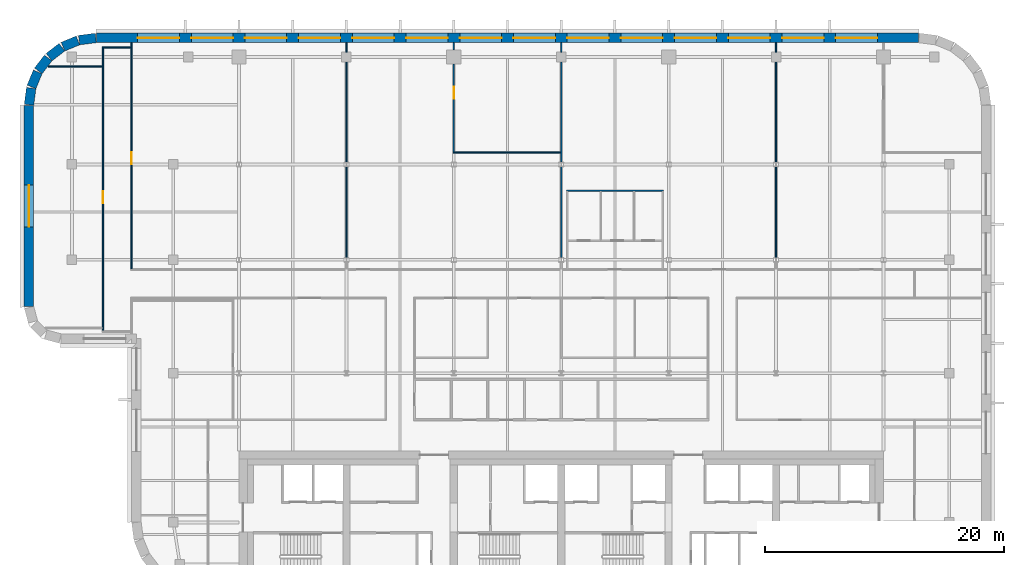
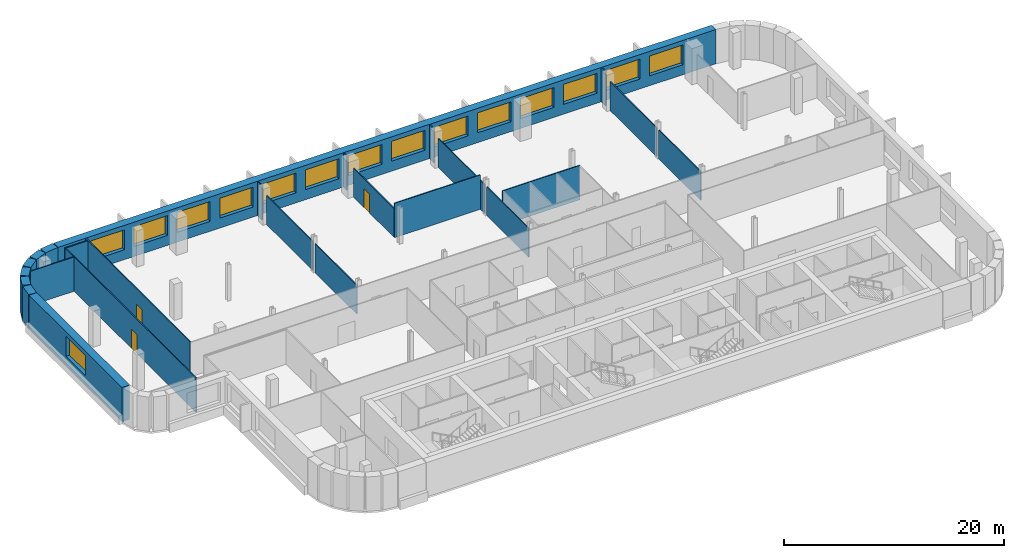
# One storey, part 10 of 16: 25 walls, 15 windows, 3 doors, 18 openings.
"""IFC4 building model written with IfcOpenShell, lengths in metres."""

from ifc_helpers import new_model, si_unit, direction, frame, frame_2d, origin, place, context, subcontext, project, spatial, rectangle, extrude, material, layer, layer_set, type_object, element, fill, save


model = new_model("IFC4")

# Units and contexts
model_context = context("Model", 3, precision=1e-05, world=origin(), true_north=direction((0.0, 1.0)))
body_context = subcontext(model_context, "Body", "Model", "MODEL_VIEW")
ifc_project = project(units=[si_unit("LENGTHUNIT", "METRE"), si_unit("AREAUNIT", "SQUARE_METRE"), si_unit("VOLUMEUNIT", "CUBIC_METRE"), si_unit("PLANEANGLEUNIT", "RADIAN"), si_unit("MASSUNIT", "GRAM", prefix="KILO")], contexts=[model_context])

# Site, building, storey
site_placement = place(None, origin())
site = spatial("IfcSite", under=ifc_project, at=site_placement, CompositionType="ELEMENT")
building_placement = place(site_placement, origin())
building = spatial("IfcBuilding", under=site, at=building_placement, Name="Zellij Exchange Tower", CompositionType="ELEMENT")
storey_placement = place(building_placement, frame((0.0, 0.0, 248.5)))
storey = spatial("IfcBuildingStorey", under=building, at=storey_placement, Name="L58", CompositionType="ELEMENT", Elevation=248.5)

# Wall, openings, windows
ifc_material_1 = material(Name="Precast concrete C40/50", Category="concrete")
ifc_layer_1 = layer(ifc_material_1, 0.800048828125)
ifc_layer_set_1 = layer_set([ifc_layer_1], Name="Precast concrete C40/50")
wall_type_1 = type_object("IfcWallType", Name="ENV-EW1 Precast stone-piered wall 800", PredefinedType="SOLIDWALL", material=ifc_layer_set_1)
wall_1_placement = place(storey_placement, frame((29.947509765625, 32.60009765625, 0.0), z_axis=(0.0, 0.0, 1.0), x_axis=(-1.0, 0.0, 0.0)))
wall_1 = element("IfcWall", 1, at=wall_1_placement, inside=storey, type_object=wall_type_1, Name="fac.L58.14", PredefinedType="SOLIDWALL", context=body_context, shape_type="SweptSolid", body=[
    extrude(rectangle(XDim=68.89501953125, YDim=0.800048828125, at=frame_2d((34.447509765625, 0.0))), origin(), (0.0, 0.0, 1.0), 3.800048828125),
])
opening_1_placement = place(wall_1_placement, frame((3.447509765625, 0.0, 1.10009765625)))
opening_1 = element("IfcOpeningElement", 2, at=opening_1_placement, cuts=wall_1, Name="Opening FZ4.06", PredefinedType="OPENING", context=body_context, shape_type="SweptSolid", body=[
    extrude(rectangle(XDim=3.5, YDim=2.199951171875, at=frame_2d((1.75, 1.10009765625))), frame((0.0, 0.412109375, 0.0), z_axis=(0.0, -1.0, 0.0), x_axis=(1.0, 0.0, 0.0)), (0.0, 0.0, 1.0), 0.823974609375),
])
opening_2_placement = place(wall_1_placement, frame((7.947509765625, 0.0, 1.10009765625)))
opening_2 = element("IfcOpeningElement", 3, at=opening_2_placement, cuts=wall_1, Name="Opening FZ4.07", PredefinedType="OPENING", context=body_context, shape_type="SweptSolid", body=[
    extrude(rectangle(XDim=3.5, YDim=2.199951171875, at=frame_2d((1.75, 1.10009765625))), frame((0.0, 0.412109375, 0.0), z_axis=(0.0, -1.0, 0.0), x_axis=(1.0, 0.0, 0.0)), (0.0, 0.0, 1.0), 0.823974609375),
])
opening_3_placement = place(wall_1_placement, frame((12.447509765625, 0.0, 1.10009765625)))
opening_3 = element("IfcOpeningElement", 4, at=opening_3_placement, cuts=wall_1, Name="Opening FZ4.08", PredefinedType="OPENING", context=body_context, shape_type="SweptSolid", body=[
    extrude(rectangle(XDim=3.5, YDim=2.199951171875, at=frame_2d((1.75, 1.10009765625))), frame((0.0, 0.412109375, 0.0), z_axis=(0.0, -1.0, 0.0), x_axis=(1.0, 0.0, 0.0)), (0.0, 0.0, 1.0), 0.823974609375),
])
opening_4_placement = place(wall_1_placement, frame((16.947509765625, 0.0, 1.10009765625)))
opening_4 = element("IfcOpeningElement", 5, at=opening_4_placement, cuts=wall_1, Name="Opening FZ4.09", PredefinedType="OPENING", context=body_context, shape_type="SweptSolid", body=[
    extrude(rectangle(XDim=3.5, YDim=2.199951171875, at=frame_2d((1.75, 1.10009765625))), frame((0.0, 0.412109375, 0.0), z_axis=(0.0, -1.0, 0.0), x_axis=(1.0, 0.0, 0.0)), (0.0, 0.0, 1.0), 0.823974609375),
])
opening_5_placement = place(wall_1_placement, frame((21.447509765625, 0.0, 1.10009765625)))
opening_5 = element("IfcOpeningElement", 6, at=opening_5_placement, cuts=wall_1, Name="Opening FZ4.10", PredefinedType="OPENING", context=body_context, shape_type="SweptSolid", body=[
    extrude(rectangle(XDim=3.5, YDim=2.199951171875, at=frame_2d((1.75, 1.10009765625))), frame((0.0, 0.412109375, 0.0), z_axis=(0.0, -1.0, 0.0), x_axis=(1.0, 0.0, 0.0)), (0.0, 0.0, 1.0), 0.823974609375),
])
opening_6_placement = place(wall_1_placement, frame((25.947509765625, 0.0, 1.10009765625)))
opening_6 = element("IfcOpeningElement", 7, at=opening_6_placement, cuts=wall_1, Name="Opening FZ4.11", PredefinedType="OPENING", context=body_context, shape_type="SweptSolid", body=[
    extrude(rectangle(XDim=3.5, YDim=2.199951171875, at=frame_2d((1.75, 1.10009765625))), frame((0.0, 0.412109375, 0.0), z_axis=(0.0, -1.0, 0.0), x_axis=(1.0, 0.0, 0.0)), (0.0, 0.0, 1.0), 0.823974609375),
])
opening_7_placement = place(wall_1_placement, frame((30.447509765625, 0.0, 1.10009765625)))
opening_7 = element("IfcOpeningElement", 8, at=opening_7_placement, cuts=wall_1, Name="Opening FZ4.12", PredefinedType="OPENING", context=body_context, shape_type="SweptSolid", body=[
    extrude(rectangle(XDim=3.5, YDim=2.199951171875, at=frame_2d((1.75, 1.10009765625))), frame((0.0, 0.412109375, 0.0), z_axis=(0.0, -1.0, 0.0), x_axis=(1.0, 0.0, 0.0)), (0.0, 0.0, 1.0), 0.823974609375),
])
opening_8_placement = place(wall_1_placement, frame((34.947509765625, 0.0, 1.10009765625)))
opening_8 = element("IfcOpeningElement", 9, at=opening_8_placement, cuts=wall_1, Name="Opening FZ4.13", PredefinedType="OPENING", context=body_context, shape_type="SweptSolid", body=[
    extrude(rectangle(XDim=3.5, YDim=2.199951171875, at=frame_2d((1.75, 1.10009765625))), frame((0.0, 0.412109375, 0.0), z_axis=(0.0, -1.0, 0.0), x_axis=(1.0, 0.0, 0.0)), (0.0, 0.0, 1.0), 0.823974609375),
])
opening_9_placement = place(wall_1_placement, frame((39.447509765625, 0.0, 1.10009765625)))
opening_9 = element("IfcOpeningElement", 10, at=opening_9_placement, cuts=wall_1, Name="Opening FZ4.14", PredefinedType="OPENING", context=body_context, shape_type="SweptSolid", body=[
    extrude(rectangle(XDim=3.5, YDim=2.199951171875, at=frame_2d((1.75, 1.10009765625))), frame((0.0, 0.412109375, 0.0), z_axis=(0.0, -1.0, 0.0), x_axis=(1.0, 0.0, 0.0)), (0.0, 0.0, 1.0), 0.823974609375),
])
opening_10_placement = place(wall_1_placement, frame((43.947509765625, 0.0, 1.10009765625)))
opening_10 = element("IfcOpeningElement", 11, at=opening_10_placement, cuts=wall_1, Name="Opening FZ4.15", PredefinedType="OPENING", context=body_context, shape_type="SweptSolid", body=[
    extrude(rectangle(XDim=3.5, YDim=2.199951171875, at=frame_2d((1.75, 1.10009765625))), frame((0.0, 0.412109375, 0.0), z_axis=(0.0, -1.0, 0.0), x_axis=(1.0, 0.0, 0.0)), (0.0, 0.0, 1.0), 0.823974609375),
])
opening_11_placement = place(wall_1_placement, frame((48.447509765625, 0.0, 1.10009765625)))
opening_11 = element("IfcOpeningElement", 12, at=opening_11_placement, cuts=wall_1, Name="Opening FZ4.16", PredefinedType="OPENING", context=body_context, shape_type="SweptSolid", body=[
    extrude(rectangle(XDim=3.5, YDim=2.199951171875, at=frame_2d((1.75, 1.10009765625))), frame((0.0, 0.412109375, 0.0), z_axis=(0.0, -1.0, 0.0), x_axis=(1.0, 0.0, 0.0)), (0.0, 0.0, 1.0), 0.823974609375),
])
opening_12_placement = place(wall_1_placement, frame((52.947509765625, 0.0, 1.10009765625)))
opening_12 = element("IfcOpeningElement", 13, at=opening_12_placement, cuts=wall_1, Name="Opening FZ4.17", PredefinedType="OPENING", context=body_context, shape_type="SweptSolid", body=[
    extrude(rectangle(XDim=3.5, YDim=2.199951171875, at=frame_2d((1.75, 1.10009765625))), frame((0.0, 0.412109375, 0.0), z_axis=(0.0, -1.0, 0.0), x_axis=(1.0, 0.0, 0.0)), (0.0, 0.0, 1.0), 0.823974609375),
])
opening_13_placement = place(wall_1_placement, frame((57.447509765625, 0.0, 1.10009765625)))
opening_13 = element("IfcOpeningElement", 14, at=opening_13_placement, cuts=wall_1, Name="Opening FZ4.18", PredefinedType="OPENING", context=body_context, shape_type="SweptSolid", body=[
    extrude(rectangle(XDim=3.5, YDim=2.199951171875, at=frame_2d((1.75, 1.10009765625))), frame((0.0, 0.412109375, 0.0), z_axis=(0.0, -1.0, 0.0), x_axis=(1.0, 0.0, 0.0)), (0.0, 0.0, 1.0), 0.823974609375),
])
opening_14_placement = place(wall_1_placement, frame((61.947509765625, 0.0, 1.10009765625)))
opening_14 = element("IfcOpeningElement", 15, at=opening_14_placement, cuts=wall_1, Name="Opening FZ4.19", PredefinedType="OPENING", context=body_context, shape_type="SweptSolid", body=[
    extrude(rectangle(XDim=3.5, YDim=2.199951171875, at=frame_2d((1.75, 1.10009765625))), frame((0.0, 0.412109375, 0.0), z_axis=(0.0, -1.0, 0.0), x_axis=(1.0, 0.0, 0.0)), (0.0, 0.0, 1.0), 0.823974609375),
])
ifc_material_2 = material(Name="Aluminium frame with insulating glass", Category="aluminium")
window_type = type_object("IfcWindowType", Name="ENV-W7 Window 3500x2200", PartitioningType="SINGLE_PANEL", PredefinedType="WINDOW", material=ifc_material_2)
window_1_placement = place(opening_1_placement, origin())
window_1 = element("IfcWindow", 16, at=window_1_placement, inside=storey, type_object=window_type, Name="Window FZ4.06", OverallHeight=2.199951171875, OverallWidth=3.5, PartitioningType="SINGLE_PANEL", PredefinedType="WINDOW", context=body_context, shape_type="SweptSolid", body=[
    extrude(rectangle(XDim=3.5, YDim=2.199951171875, at=frame_2d((1.75, 1.10009765625))), frame((0.0, 0.030029296875, 0.0), z_axis=(0.0, -1.0, 0.0), x_axis=(1.0, 0.0, 0.0)), (0.0, 0.0, 1.0), 0.06005859375),
])
fill(opening_1, window_1)
window_2_placement = place(opening_2_placement, origin())
window_2 = element("IfcWindow", 17, at=window_2_placement, inside=storey, type_object=window_type, Name="Window FZ4.07", OverallHeight=2.199951171875, OverallWidth=3.5, PartitioningType="SINGLE_PANEL", PredefinedType="WINDOW", context=body_context, shape_type="SweptSolid", body=[
    extrude(rectangle(XDim=3.5, YDim=2.199951171875, at=frame_2d((1.75, 1.10009765625))), frame((0.0, 0.030029296875, 0.0), z_axis=(0.0, -1.0, 0.0), x_axis=(1.0, 0.0, 0.0)), (0.0, 0.0, 1.0), 0.06005859375),
])
fill(opening_2, window_2)
window_3_placement = place(opening_3_placement, origin())
window_3 = element("IfcWindow", 18, at=window_3_placement, inside=storey, type_object=window_type, Name="Window FZ4.08", OverallHeight=2.199951171875, OverallWidth=3.5, PartitioningType="SINGLE_PANEL", PredefinedType="WINDOW", context=body_context, shape_type="SweptSolid", body=[
    extrude(rectangle(XDim=3.5, YDim=2.199951171875, at=frame_2d((1.75, 1.10009765625))), frame((0.0, 0.030029296875, 0.0), z_axis=(0.0, -1.0, 0.0), x_axis=(1.0, 0.0, 0.0)), (0.0, 0.0, 1.0), 0.06005859375),
])
fill(opening_3, window_3)
window_4_placement = place(opening_4_placement, origin())
window_4 = element("IfcWindow", 19, at=window_4_placement, inside=storey, type_object=window_type, Name="Window FZ4.09", OverallHeight=2.199951171875, OverallWidth=3.5, PartitioningType="SINGLE_PANEL", PredefinedType="WINDOW", context=body_context, shape_type="SweptSolid", body=[
    extrude(rectangle(XDim=3.5, YDim=2.199951171875, at=frame_2d((1.75, 1.10009765625))), frame((0.0, 0.030029296875, 0.0), z_axis=(0.0, -1.0, 0.0), x_axis=(1.0, 0.0, 0.0)), (0.0, 0.0, 1.0), 0.06005859375),
])
fill(opening_4, window_4)
window_5_placement = place(opening_5_placement, origin())
window_5 = element("IfcWindow", 20, at=window_5_placement, inside=storey, type_object=window_type, Name="Window FZ4.10", OverallHeight=2.199951171875, OverallWidth=3.5, PartitioningType="SINGLE_PANEL", PredefinedType="WINDOW", context=body_context, shape_type="SweptSolid", body=[
    extrude(rectangle(XDim=3.5, YDim=2.199951171875, at=frame_2d((1.75, 1.10009765625))), frame((0.0, 0.030029296875, 0.0), z_axis=(0.0, -1.0, 0.0), x_axis=(1.0, 0.0, 0.0)), (0.0, 0.0, 1.0), 0.06005859375),
])
fill(opening_5, window_5)
window_6_placement = place(opening_6_placement, origin())
window_6 = element("IfcWindow", 21, at=window_6_placement, inside=storey, type_object=window_type, Name="Window FZ4.11", OverallHeight=2.199951171875, OverallWidth=3.5, PartitioningType="SINGLE_PANEL", PredefinedType="WINDOW", context=body_context, shape_type="SweptSolid", body=[
    extrude(rectangle(XDim=3.5, YDim=2.199951171875, at=frame_2d((1.75, 1.10009765625))), frame((0.0, 0.030029296875, 0.0), z_axis=(0.0, -1.0, 0.0), x_axis=(1.0, 0.0, 0.0)), (0.0, 0.0, 1.0), 0.06005859375),
])
fill(opening_6, window_6)
window_7_placement = place(opening_7_placement, origin())
window_7 = element("IfcWindow", 22, at=window_7_placement, inside=storey, type_object=window_type, Name="Window FZ4.12", OverallHeight=2.199951171875, OverallWidth=3.5, PartitioningType="SINGLE_PANEL", PredefinedType="WINDOW", context=body_context, shape_type="SweptSolid", body=[
    extrude(rectangle(XDim=3.5, YDim=2.199951171875, at=frame_2d((1.75, 1.10009765625))), frame((0.0, 0.030029296875, 0.0), z_axis=(0.0, -1.0, 0.0), x_axis=(1.0, 0.0, 0.0)), (0.0, 0.0, 1.0), 0.06005859375),
])
fill(opening_7, window_7)
window_8_placement = place(opening_8_placement, origin())
window_8 = element("IfcWindow", 23, at=window_8_placement, inside=storey, type_object=window_type, Name="Window FZ4.13", OverallHeight=2.199951171875, OverallWidth=3.5, PartitioningType="SINGLE_PANEL", PredefinedType="WINDOW", context=body_context, shape_type="SweptSolid", body=[
    extrude(rectangle(XDim=3.5, YDim=2.199951171875, at=frame_2d((1.75, 1.10009765625))), frame((0.0, 0.030029296875, 0.0), z_axis=(0.0, -1.0, 0.0), x_axis=(1.0, 0.0, 0.0)), (0.0, 0.0, 1.0), 0.06005859375),
])
fill(opening_8, window_8)
window_9_placement = place(opening_9_placement, origin())
window_9 = element("IfcWindow", 24, at=window_9_placement, inside=storey, type_object=window_type, Name="Window FZ4.14", OverallHeight=2.199951171875, OverallWidth=3.5, PartitioningType="SINGLE_PANEL", PredefinedType="WINDOW", context=body_context, shape_type="SweptSolid", body=[
    extrude(rectangle(XDim=3.5, YDim=2.199951171875, at=frame_2d((1.75, 1.10009765625))), frame((0.0, 0.030029296875, 0.0), z_axis=(0.0, -1.0, 0.0), x_axis=(1.0, 0.0, 0.0)), (0.0, 0.0, 1.0), 0.06005859375),
])
fill(opening_9, window_9)
window_10_placement = place(opening_10_placement, origin())
window_10 = element("IfcWindow", 25, at=window_10_placement, inside=storey, type_object=window_type, Name="Window FZ4.15", OverallHeight=2.199951171875, OverallWidth=3.5, PartitioningType="SINGLE_PANEL", PredefinedType="WINDOW", context=body_context, shape_type="SweptSolid", body=[
    extrude(rectangle(XDim=3.5, YDim=2.199951171875, at=frame_2d((1.75, 1.10009765625))), frame((0.0, 0.030029296875, 0.0), z_axis=(0.0, -1.0, 0.0), x_axis=(1.0, 0.0, 0.0)), (0.0, 0.0, 1.0), 0.06005859375),
])
fill(opening_10, window_10)
window_11_placement = place(opening_11_placement, origin())
window_11 = element("IfcWindow", 26, at=window_11_placement, inside=storey, type_object=window_type, Name="Window FZ4.16", OverallHeight=2.199951171875, OverallWidth=3.5, PartitioningType="SINGLE_PANEL", PredefinedType="WINDOW", context=body_context, shape_type="SweptSolid", body=[
    extrude(rectangle(XDim=3.5, YDim=2.199951171875, at=frame_2d((1.75, 1.10009765625))), frame((0.0, 0.030029296875, 0.0), z_axis=(0.0, -1.0, 0.0), x_axis=(1.0, 0.0, 0.0)), (0.0, 0.0, 1.0), 0.06005859375),
])
fill(opening_11, window_11)
window_12_placement = place(opening_12_placement, origin())
window_12 = element("IfcWindow", 27, at=window_12_placement, inside=storey, type_object=window_type, Name="Window FZ4.17", OverallHeight=2.199951171875, OverallWidth=3.5, PartitioningType="SINGLE_PANEL", PredefinedType="WINDOW", context=body_context, shape_type="SweptSolid", body=[
    extrude(rectangle(XDim=3.5, YDim=2.199951171875, at=frame_2d((1.75, 1.10009765625))), frame((0.0, 0.030029296875, 0.0), z_axis=(0.0, -1.0, 0.0), x_axis=(1.0, 0.0, 0.0)), (0.0, 0.0, 1.0), 0.06005859375),
])
fill(opening_12, window_12)
window_13_placement = place(opening_13_placement, origin())
window_13 = element("IfcWindow", 28, at=window_13_placement, inside=storey, type_object=window_type, Name="Window FZ4.18", OverallHeight=2.199951171875, OverallWidth=3.5, PartitioningType="SINGLE_PANEL", PredefinedType="WINDOW", context=body_context, shape_type="SweptSolid", body=[
    extrude(rectangle(XDim=3.5, YDim=2.199951171875, at=frame_2d((1.75, 1.10009765625))), frame((0.0, 0.030029296875, 0.0), z_axis=(0.0, -1.0, 0.0), x_axis=(1.0, 0.0, 0.0)), (0.0, 0.0, 1.0), 0.06005859375),
])
fill(opening_13, window_13)
window_14_placement = place(opening_14_placement, origin())
window_14 = element("IfcWindow", 29, at=window_14_placement, inside=storey, type_object=window_type, Name="Window FZ4.19", OverallHeight=2.199951171875, OverallWidth=3.5, PartitioningType="SINGLE_PANEL", PredefinedType="WINDOW", context=body_context, shape_type="SweptSolid", body=[
    extrude(rectangle(XDim=3.5, YDim=2.199951171875, at=frame_2d((1.75, 1.10009765625))), frame((0.0, 0.030029296875, 0.0), z_axis=(0.0, -1.0, 0.0), x_axis=(1.0, 0.0, 0.0)), (0.0, 0.0, 1.0), 0.06005859375),
])
fill(opening_14, window_14)

# Walls
wall_2_placement = place(storey_placement, frame((-38.999755859375, 32.5966796875, 0.0), z_axis=(0.0, 0.0, 1.0), x_axis=(-0.99144603414, -0.130517283865, 0.0)))
element("IfcWall", 30, at=wall_2_placement, inside=storey, type_object=wall_type_1, Name="fac.L58.15", PredefinedType="SOLIDWALL", context=body_context, shape_type="SweptSolid", body=[
    extrude(rectangle(XDim=1.408447265625, YDim=0.800048828125, at=frame_2d((0.7041015625, 0.0))), origin(), (0.0, 0.0, 1.0), 3.800048828125),
])
wall_3_placement = place(storey_placement, frame((-40.497314453125, 32.3857421875, 0.0), z_axis=(0.0, 0.0, 1.0), x_axis=(-0.923847774587, -0.38276009378, 0.0)))
element("IfcWall", 31, at=wall_3_placement, inside=storey, type_object=wall_type_1, Name="fac.L58.16", PredefinedType="SOLIDWALL", context=body_context, shape_type="SweptSolid", body=[
    extrude(rectangle(XDim=1.35546875, YDim=0.800048828125, at=frame_2d((0.677734375, 0.0))), origin(), (0.0, 0.0, 1.0), 3.800048828125),
])
for number, where, z_axis, x_axis, name in (
    (32, (-41.840087890625, 31.814697265625, 0.0), (0.0, 0.0, 1.0), (-0.793272915452, -0.608866226366, 0.0), "fac.L58.17"),
    (33, (-42.9892578125, 30.91552734375, 0.0), (0.0, 0.0, 1.0), (-0.608866226366, -0.793272915452, 0.0), "fac.L58.18"),
):
    element("IfcWall", number, at=place(storey_placement, frame(where, z_axis=z_axis, x_axis=x_axis)), inside=storey, type_object=wall_type_1, Name=name, PredefinedType="SOLIDWALL", context=body_context, shape_type="SweptSolid", body=[
        extrude(rectangle(XDim=1.355712890625, YDim=0.800048828125, at=frame_2d((0.677734375, 0.0))), origin(), (0.0, 0.0, 1.0), 3.800048828125),
    ])
wall_4_placement = place(storey_placement, frame((-43.866943359375, 29.74951171875, 0.0), z_axis=(0.0, 0.0, 1.0), x_axis=(-0.38276009378, -0.923847774587, 0.0)))
element("IfcWall", 34, at=wall_4_placement, inside=storey, type_object=wall_type_1, Name="fac.L58.19", PredefinedType="SOLIDWALL", context=body_context, shape_type="SweptSolid", body=[
    extrude(rectangle(XDim=1.35546875, YDim=0.800048828125, at=frame_2d((0.677734375, 0.0))), origin(), (0.0, 0.0, 1.0), 3.800048828125),
])
wall_5_placement = place(storey_placement, frame((-44.412841796875, 28.396240234375, 0.0), z_axis=(0.0, 0.0, 1.0), x_axis=(-0.130517283865, -0.99144603414, 0.0)))
element("IfcWall", 35, at=wall_5_placement, inside=storey, type_object=wall_type_1, Name="fac.L58.20", PredefinedType="SOLIDWALL", context=body_context, shape_type="SweptSolid", body=[
    extrude(rectangle(XDim=1.408447265625, YDim=0.800048828125, at=frame_2d((0.7041015625, 0.0))), origin(), (0.0, 0.0, 1.0), 3.800048828125),
])

# Wall, opening, window
wall_6_placement = place(storey_placement, frame((-44.60009765625, 26.947509765625, 0.0), z_axis=(0.0, 0.0, 1.0), x_axis=(0.0, -1.0, 0.0)))
wall_6 = element("IfcWall", 36, at=wall_6_placement, inside=storey, type_object=wall_type_1, Name="fac.L58.21", PredefinedType="SOLIDWALL", context=body_context, shape_type="SweptSolid", body=[
    extrude(rectangle(XDim=16.842041015625, YDim=0.800048828125, at=frame_2d((8.4208984375, 0.0))), origin(), (0.0, 0.0, 1.0), 3.800048828125),
])
opening_15_placement = place(wall_6_placement, frame((6.684326171875, 0.0, 1.10009765625)))
opening_15 = element("IfcOpeningElement", 37, at=opening_15_placement, cuts=wall_6, Name="Opening FZ4.20", PredefinedType="OPENING", context=body_context, shape_type="SweptSolid", body=[
    extrude(rectangle(XDim=3.5, YDim=2.199951171875, at=frame_2d((1.75, 1.10009765625))), frame((0.0, 0.412109375, 0.0), z_axis=(0.0, -1.0, 0.0), x_axis=(1.0, 0.0, 0.0)), (0.0, 0.0, 1.0), 0.823974609375),
])
window_15_placement = place(opening_15_placement, origin())
window_15 = element("IfcWindow", 38, at=window_15_placement, inside=storey, type_object=window_type, Name="Window FZ4.20", OverallHeight=2.199951171875, OverallWidth=3.5, PartitioningType="SINGLE_PANEL", PredefinedType="WINDOW", context=body_context, shape_type="SweptSolid", body=[
    extrude(rectangle(XDim=3.5, YDim=2.199951171875, at=frame_2d((1.75, 1.10009765625))), frame((0.0, 0.030029296875, 0.0), z_axis=(0.0, -1.0, 0.0), x_axis=(1.0, 0.0, 0.0)), (0.0, 0.0, 1.0), 0.06005859375),
])
fill(opening_15, window_15)

# Wall, opening, door
ifc_material_3 = material(Name="Gypsum board partition on steel studs", Category="steel")
ifc_layer_2 = layer(ifc_material_3, 0.10009765625)
ifc_layer_set_2 = layer_set([ifc_layer_2], Name="Gypsum board partition on steel studs")
wall_type_2 = type_object("IfcWallType", Name="FIT-PARTITION-100", PredefinedType="PARTITIONING", material=ifc_layer_set_2)
wall_7_placement = place(storey_placement, frame((-38.39990234375, 8.050048828125, 0.0), z_axis=(0.0, 0.0, 1.0), x_axis=(0.0, 1.0, 0.0)))
wall_7 = element("IfcWall", 39, at=wall_7_placement, inside=storey, type_object=wall_type_2, Name="FIT-PARTITION-100 029", PredefinedType="PARTITIONING", context=body_context, shape_type="SweptSolid", body=[
    extrude(rectangle(XDim=23.699951171875, YDim=0.10009765625, at=frame_2d((11.85009765625, 0.0))), origin(), (0.0, 0.0, 1.0), 3.800048828125),
])
opening_16_placement = place(wall_7_placement, frame((10.699951171875, 0.0, 0.0)))
opening_16 = element("IfcOpeningElement", 40, at=opening_16_placement, cuts=wall_7, Name="Opening O4D.23", PredefinedType="OPENING", context=body_context, shape_type="SweptSolid", body=[
    extrude(rectangle(XDim=1.0, YDim=2.10009765625, at=frame_2d((0.5, 1.050048828125))), frame((0.0, 0.06201171875, 0.0), z_axis=(0.0, -1.0, 0.0), x_axis=(1.0, 0.0, 0.0)), (0.0, 0.0, 1.0), 0.1240234375),
])
ifc_material_4 = material(Name="Timber door set", Category="wood")
door_type = type_object("IfcDoorType", Name="FIT-D2-WIDE-1000X2100", OperationType="SINGLE_SWING_LEFT", PredefinedType="DOOR", material=ifc_material_4)
door_1_placement = place(opening_16_placement, origin())
door_1 = element("IfcDoor", 41, at=door_1_placement, inside=storey, type_object=door_type, Name="Door O4D.23", OperationType="SINGLE_SWING_RIGHT", OverallHeight=2.10009765625, OverallWidth=1.0, PredefinedType="DOOR", context=body_context, shape_type="SweptSolid", body=[
    extrude(rectangle(XDim=1.0, YDim=2.10009765625, at=frame_2d((0.5, 1.050048828125))), frame((0.0, 0.02490234375, 0.0), z_axis=(0.0, -1.0, 0.0), x_axis=(1.0, 0.0, 0.0)), (0.0, 0.0, 1.0), 0.050048828125),
])
fill(opening_16, door_1)

wall_8_placement = place(storey_placement, frame((-36.0, 13.25, 0.0), z_axis=(0.0, 0.0, 1.0), x_axis=(0.0, 1.0, 0.0)))
wall_8 = element("IfcWall", 42, at=wall_8_placement, inside=storey, type_object=wall_type_2, Name="FIT-PARTITION-100 037", PredefinedType="PARTITIONING", context=body_context, shape_type="SweptSolid", body=[
    extrude(rectangle(XDim=18.949951171875, YDim=0.10009765625, at=frame_2d((9.47509765625, 0.0))), origin(), (0.0, 0.0, 1.0), 3.800048828125),
])
opening_17_placement = place(wall_8_placement, frame((8.75, 0.0, 0.0)))
opening_17 = element("IfcOpeningElement", 43, at=opening_17_placement, cuts=wall_8, Name="Opening O4D.24", PredefinedType="OPENING", context=body_context, shape_type="SweptSolid", body=[
    extrude(rectangle(XDim=1.0, YDim=2.10009765625, at=frame_2d((0.5, 1.050048828125))), frame((0.0, 0.06201171875, 0.0), z_axis=(0.0, -1.0, 0.0), x_axis=(1.0, 0.0, 0.0)), (0.0, 0.0, 1.0), 0.1240234375),
])
door_2_placement = place(opening_17_placement, origin())
door_2 = element("IfcDoor", 44, at=door_2_placement, inside=storey, type_object=door_type, Name="Door O4D.24", OperationType="SINGLE_SWING_LEFT", OverallHeight=2.10009765625, OverallWidth=1.0, PredefinedType="DOOR", context=body_context, shape_type="SweptSolid", body=[
    extrude(rectangle(XDim=1.0, YDim=2.10009765625, at=frame_2d((0.5, 1.050048828125))), frame((0.0, 0.02490234375, 0.0), z_axis=(0.0, -1.0, 0.0), x_axis=(1.0, 0.0, 0.0)), (0.0, 0.0, 1.0), 0.050048828125),
])
fill(opening_17, door_2)

# Walls
wall_9_placement = place(storey_placement, frame((-18.0, 14.193115234375, 0.0), z_axis=(0.0, 0.0, 1.0), x_axis=(0.0, 1.0, 0.0)))
element("IfcWall", 45, at=wall_9_placement, inside=storey, type_object=wall_type_2, Name="FIT-PARTITION-100 039", PredefinedType="PARTITIONING", context=body_context, shape_type="SweptSolid", body=[
    extrude(rectangle(XDim=7.61376953125, YDim=0.10009765625, at=frame_2d((3.806884765625, 0.0))), origin(), (0.0, 0.0, 1.0), 3.19287109375),
])
wall_10_placement = place(storey_placement, frame((-18.0, 22.193115234375, 0.0), z_axis=(0.0, 0.0, 1.0), x_axis=(0.0, 1.0, 0.0)))
element("IfcWall", 46, at=wall_10_placement, inside=storey, type_object=wall_type_2, Name="FIT-PARTITION-100 040", PredefinedType="PARTITIONING", context=body_context, shape_type="SweptSolid", body=[
    extrude(rectangle(XDim=8.406982421875, YDim=0.10009765625, at=frame_2d((4.20361328125, 0.0))), origin(), (0.0, 0.0, 1.0), 3.19287109375),
])
wall_11_placement = place(storey_placement, frame((-18.0, 31.39990234375, 0.0), z_axis=(0.0, 0.0, 1.0), x_axis=(0.0, 1.0, 0.0)))
element("IfcWall", 47, at=wall_11_placement, inside=storey, type_object=wall_type_2, Name="FIT-PARTITION-100 041", PredefinedType="PARTITIONING", context=body_context, shape_type="SweptSolid", body=[
    extrude(rectangle(XDim=0.800048828125, YDim=0.10009765625, at=frame_2d((0.39990234375, 0.0))), origin(), (0.0, 0.0, 1.0), 3.800048828125),
])
wall_12_placement = place(storey_placement, frame((0.0, 14.193115234375, 0.0), z_axis=(0.0, 0.0, 1.0), x_axis=(0.0, 1.0, 0.0)))
element("IfcWall", 48, at=wall_12_placement, inside=storey, type_object=wall_type_2, Name="FIT-PARTITION-100 043", PredefinedType="PARTITIONING", context=body_context, shape_type="SweptSolid", body=[
    extrude(rectangle(XDim=7.61376953125, YDim=0.10009765625, at=frame_2d((3.806884765625, 0.0))), origin(), (0.0, 0.0, 1.0), 3.19287109375),
])
wall_13_placement = place(storey_placement, frame((0.0, 22.193115234375, 0.0), z_axis=(0.0, 0.0, 1.0), x_axis=(0.0, 1.0, 0.0)))
element("IfcWall", 49, at=wall_13_placement, inside=storey, type_object=wall_type_2, Name="FIT-PARTITION-100 044", PredefinedType="PARTITIONING", context=body_context, shape_type="SweptSolid", body=[
    extrude(rectangle(XDim=8.406982421875, YDim=0.10009765625, at=frame_2d((4.20361328125, 0.0))), origin(), (0.0, 0.0, 1.0), 3.19287109375),
])
wall_14_placement = place(storey_placement, frame((0.0, 31.39990234375, 0.0), z_axis=(0.0, 0.0, 1.0), x_axis=(0.0, 1.0, 0.0)))
element("IfcWall", 50, at=wall_14_placement, inside=storey, type_object=wall_type_2, Name="FIT-PARTITION-100 045", PredefinedType="PARTITIONING", context=body_context, shape_type="SweptSolid", body=[
    extrude(rectangle(XDim=0.800048828125, YDim=0.10009765625, at=frame_2d((0.39990234375, 0.0))), origin(), (0.0, 0.0, 1.0), 3.800048828125),
])
wall_15_placement = place(storey_placement, frame((18.0, 14.193115234375, 0.0), z_axis=(0.0, 0.0, 1.0), x_axis=(0.0, 1.0, 0.0)))
element("IfcWall", 51, at=wall_15_placement, inside=storey, type_object=wall_type_2, Name="FIT-PARTITION-100 049", PredefinedType="PARTITIONING", context=body_context, shape_type="SweptSolid", body=[
    extrude(rectangle(XDim=7.61376953125, YDim=0.10009765625, at=frame_2d((3.806884765625, 0.0))), origin(), (0.0, 0.0, 1.0), 3.19287109375),
])
wall_16_placement = place(storey_placement, frame((18.0, 22.193115234375, 0.0), z_axis=(0.0, 0.0, 1.0), x_axis=(0.0, 1.0, 0.0)))
element("IfcWall", 52, at=wall_16_placement, inside=storey, type_object=wall_type_2, Name="FIT-PARTITION-100 050", PredefinedType="PARTITIONING", context=body_context, shape_type="SweptSolid", body=[
    extrude(rectangle(XDim=8.406982421875, YDim=0.10009765625, at=frame_2d((4.20361328125, 0.0))), origin(), (0.0, 0.0, 1.0), 3.19287109375),
])
wall_17_placement = place(storey_placement, frame((18.0, 31.39990234375, 0.0), z_axis=(0.0, 0.0, 1.0), x_axis=(0.0, 1.0, 0.0)))
element("IfcWall", 53, at=wall_17_placement, inside=storey, type_object=wall_type_2, Name="FIT-PARTITION-100 051", PredefinedType="PARTITIONING", context=body_context, shape_type="SweptSolid", body=[
    extrude(rectangle(XDim=0.800048828125, YDim=0.10009765625, at=frame_2d((0.39990234375, 0.0))), origin(), (0.0, 0.0, 1.0), 3.800048828125),
])
wall_18_placement = place(storey_placement, frame((0.449951171875, 19.800048828125, 0.0), z_axis=(0.0, 0.0, 1.0), x_axis=(1.0, 0.0, 0.0)))
element("IfcWall", 54, at=wall_18_placement, inside=storey, type_object=wall_type_2, Name="FIT-PARTITION-100 055", PredefinedType="PARTITIONING", context=body_context, shape_type="SweptSolid", body=[
    extrude(rectangle(XDim=8.10009765625, YDim=0.10009765625, at=frame_2d((4.050048828125, 0.0))), origin(), (0.0, 0.0, 1.0), 3.800048828125),
])
wall_19_placement = place(storey_placement, frame((-9.050048828125, 23.0, 0.0), z_axis=(0.0, 0.0, 1.0), x_axis=(1.0, 0.0, 0.0)))
element("IfcWall", 55, at=wall_19_placement, inside=storey, type_object=wall_type_2, Name="FIT-PARTITION-100 056", PredefinedType="PARTITIONING", context=body_context, shape_type="SweptSolid", body=[
    extrude(rectangle(XDim=9.0, YDim=0.10009765625, at=frame_2d((4.5, 0.0))), origin(), (0.0, 0.0, 1.0), 3.800048828125),
])

# Wall, opening, door
wall_20_placement = place(storey_placement, frame((-9.0, 23.050048828125, 0.0), z_axis=(0.0, 0.0, 1.0), x_axis=(0.0, 1.0, 0.0)))
wall_20 = element("IfcWall", 56, at=wall_20_placement, inside=storey, type_object=wall_type_2, Name="FIT-PARTITION-100 057", PredefinedType="PARTITIONING", context=body_context, shape_type="SweptSolid", body=[
    extrude(rectangle(XDim=7.349853515625, YDim=0.10009765625, at=frame_2d((3.6748046875, 0.0))), origin(), (0.0, 0.0, 1.0), 3.19287109375),
])
opening_18_placement = place(wall_20_placement, frame((4.449951171875, 0.0, 0.0)))
opening_18 = element("IfcOpeningElement", 57, at=opening_18_placement, cuts=wall_20, Name="Opening O4D.25", PredefinedType="OPENING", context=body_context, shape_type="SweptSolid", body=[
    extrude(rectangle(XDim=1.0, YDim=2.10009765625, at=frame_2d((0.5, 1.050048828125))), frame((0.0, 0.06201171875, 0.0), z_axis=(0.0, -1.0, 0.0), x_axis=(1.0, 0.0, 0.0)), (0.0, 0.0, 1.0), 0.1240234375),
])
door_3_placement = place(opening_18_placement, origin())
door_3 = element("IfcDoor", 58, at=door_3_placement, inside=storey, type_object=door_type, Name="Door O4D.25", OperationType="SINGLE_SWING_RIGHT", OverallHeight=2.10009765625, OverallWidth=1.0, PredefinedType="DOOR", context=body_context, shape_type="SweptSolid", body=[
    extrude(rectangle(XDim=1.0, YDim=2.10009765625, at=frame_2d((0.5, 1.050048828125))), frame((0.0, 0.02490234375, 0.0), z_axis=(0.0, -1.0, 0.0), x_axis=(1.0, 0.0, 0.0)), (0.0, 0.0, 1.0), 0.050048828125),
])
fill(opening_18, door_3)

# Walls
wall_21_placement = place(storey_placement, frame((-9.0, 31.60009765625, 0.0), z_axis=(0.0, 0.0, 1.0), x_axis=(0.0, 1.0, 0.0)))
element("IfcWall", 59, at=wall_21_placement, inside=storey, type_object=wall_type_2, Name="FIT-PARTITION-100 058", PredefinedType="PARTITIONING", context=body_context, shape_type="SweptSolid", body=[
    extrude(rectangle(XDim=0.599853515625, YDim=0.10009765625, at=frame_2d((0.2998046875, 0.0))), origin(), (0.0, 0.0, 1.0), 3.800048828125),
])
wall_22_placement = place(storey_placement, frame((-43.0, 30.199951171875, 0.0), z_axis=(0.0, 0.0, 1.0), x_axis=(1.0, 0.0, 0.0)))
element("IfcWall", 60, at=wall_22_placement, inside=storey, type_object=wall_type_2, Name="FIT-PARTITION-100 062", PredefinedType="PARTITIONING", context=body_context, shape_type="SweptSolid", body=[
    extrude(rectangle(XDim=4.550048828125, YDim=0.10009765625, at=frame_2d((2.27490234375, 0.0))), origin(), (0.0, 0.0, 1.0), 3.800048828125),
])
wall_23_placement = place(storey_placement, frame((-38.449951171875, 31.800048828125, 0.0), z_axis=(0.0, 0.0, 1.0), x_axis=(1.0, 0.0, 0.0)))
element("IfcWall", 61, at=wall_23_placement, inside=storey, type_object=wall_type_2, Name="FIT-PARTITION-100 063", PredefinedType="PARTITIONING", context=body_context, shape_type="SweptSolid", body=[
    extrude(rectangle(XDim=2.39990234375, YDim=0.10009765625, at=frame_2d((1.199951171875, 0.0))), origin(), (0.0, 0.0, 1.0), 3.800048828125),
])

save(model, "model.ifc")
